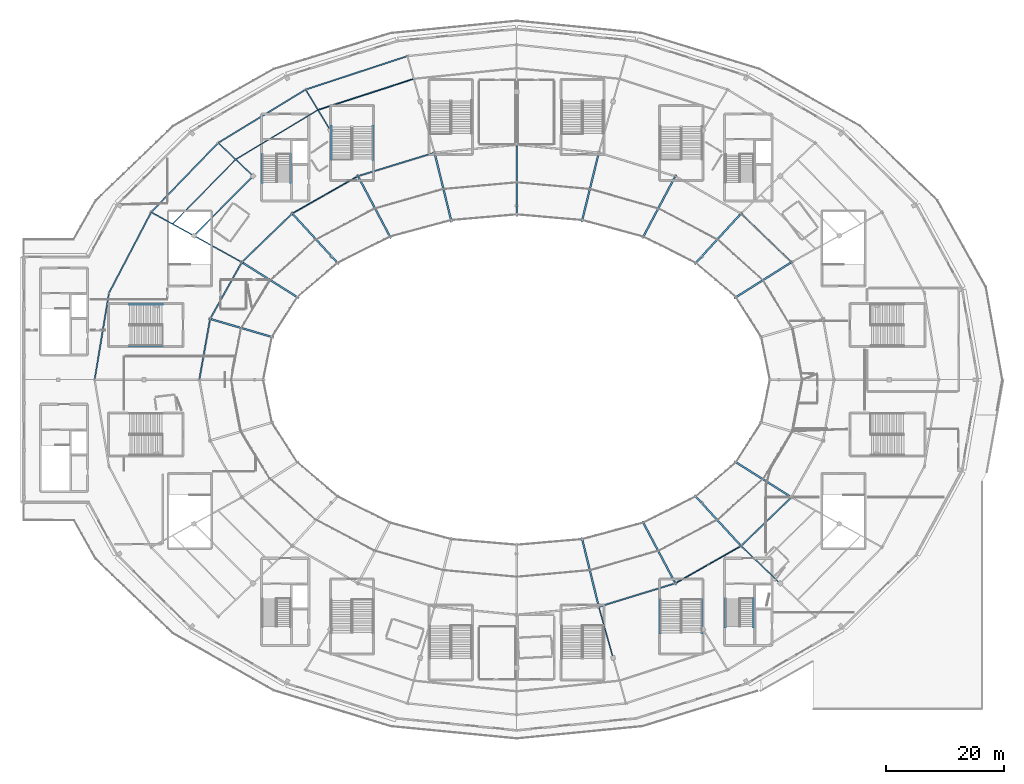
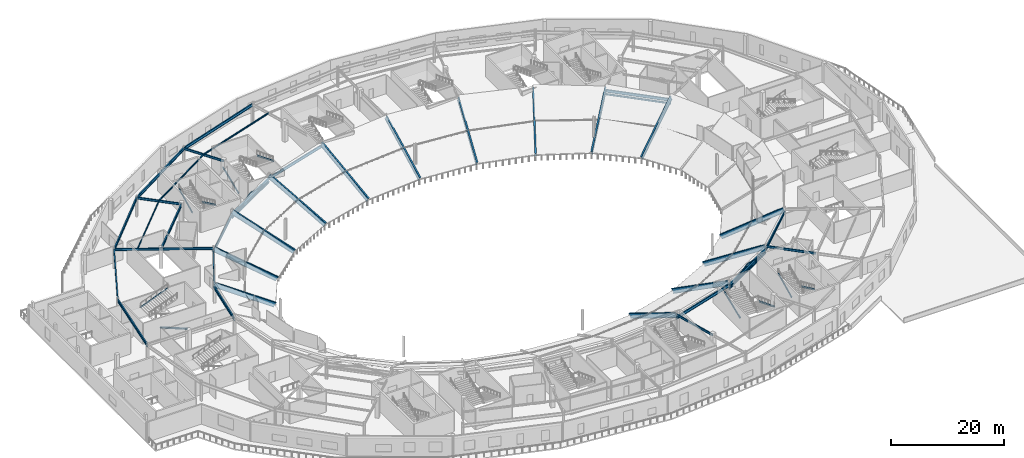
# One storey, part 14 of 63: 41 beams, 14 members.
"""IFC4 building model written with IfcOpenShell, lengths in metres."""

from ifc_helpers import new_model, si_unit, direction, frame, origin, origin_2d, place, context, subcontext, project, spatial, hollow_circle, i_section, extrude, material, material_profile, profile_set, type_object, element, save


model = new_model("IFC4")

# Units and contexts
model_context = context("Model", 3, precision=1e-05, world=origin(), true_north=direction((0.0, 1.0)))
body_context = subcontext(model_context, "Body", "Model", "MODEL_VIEW")
ifc_project = project(units=[si_unit("LENGTHUNIT", "METRE"), si_unit("AREAUNIT", "SQUARE_METRE"), si_unit("VOLUMEUNIT", "CUBIC_METRE"), si_unit("PLANEANGLEUNIT", "RADIAN"), si_unit("MASSUNIT", "GRAM", prefix="KILO")], contexts=[model_context])

# Site, building, storey
site_placement = place(None, origin())
site = spatial("IfcSite", under=ifc_project, at=site_placement, CompositionType="ELEMENT")
building_placement = place(site_placement, origin())
building = spatial("IfcBuilding", under=site, at=building_placement, Name="Kalgoora Escarpment Arena", CompositionType="ELEMENT")
storey_placement = place(building_placement, frame((0.0, 0.0, 14.39990234375)))
storey = spatial("IfcBuildingStorey", under=building, at=storey_placement, Name="L03", CompositionType="ELEMENT", Elevation=14.39990234375)

# Beams
ifc_material_1 = material(Name="Structural steel AS/NZS 3679 (300 MPa)", Category="steel")
ifc_material_profile_1 = material_profile(ifc_material_1, i_section(OverallWidth=0.1650390625, OverallDepth=0.303955078125, WebThickness=0.006103515625, FlangeThickness=0.01025390625, at=origin_2d()))
ifc_profile_set_1 = profile_set([ifc_material_profile_1], Name="Structural steel AS/NZS 3679 (300 MPa)")
beam_type_1 = type_object("IfcBeamType", Name="BM-BEAM-310UB40.4", PredefinedType="BEAM", material=ifc_profile_set_1)
beam_1_placement = place(storey_placement, frame((74.90380859375, 115.194091796875, 4.0380859375), z_axis=(-0.951103123122, -0.308873516489, 0.0), x_axis=(0.308873516489, -0.951103123122, 0.0)))
element("IfcBeam", 1, at=beam_1_placement, inside=storey, type_object=beam_type_1, Name="L03 Concourse secondary ring beam 310UB40.4", PredefinedType="BEAM", context=body_context, shape_type="SweptSolid", body=[
    extrude(i_section(OverallWidth=0.1650390625, OverallDepth=0.303955078125, WebThickness=0.006103515625, FlangeThickness=0.01025390625, at=origin_2d()), origin(), (0.0, 0.0, 1.0), 17.141845703125),
])
beam_2_placement = place(storey_placement, frame((58.60009765625, 109.8994140625, 4.0380859375), z_axis=(-0.856889805315, -0.515499623227, 0.0), x_axis=(0.515499623227, -0.856889805315, 0.0)))
element("IfcBeam", 2, at=beam_2_placement, inside=storey, type_object=beam_type_1, Name="L03 Concourse secondary ring beam 310UB40.4", PredefinedType="BEAM", context=body_context, shape_type="SweptSolid", body=[
    extrude(i_section(OverallWidth=0.1650390625, OverallDepth=0.303955078125, WebThickness=0.006103515625, FlangeThickness=0.01025390625, at=origin_2d()), origin(), (0.0, 0.0, 1.0), 16.338623046875),
])
beam_3_placement = place(storey_placement, frame((44.599609375, 101.476806640625, 4.0380859375), z_axis=(-0.699451819528, -0.714679754967, 0.0), x_axis=(0.714679754967, -0.699451819528, 0.0)))
element("IfcBeam", 3, at=beam_3_placement, inside=storey, type_object=beam_type_1, Name="L03 Concourse secondary ring beam 310UB40.4", PredefinedType="BEAM", context=body_context, shape_type="SweptSolid", body=[
    extrude(i_section(OverallWidth=0.1650390625, OverallDepth=0.303955078125, WebThickness=0.006103515625, FlangeThickness=0.01025390625, at=origin_2d()), origin(), (0.0, 0.0, 1.0), 15.359130859375),
])
ifc_material_2 = material(Name="Structural steel AS/NZS 3679 (300 MPa)", Category="steel")
ifc_material_profile_2 = material_profile(ifc_material_2, i_section(OverallWidth=0.1708984375, OverallDepth=0.35205078125, WebThickness=0.0068359375, FlangeThickness=0.009765625, at=origin_2d()))
ifc_profile_set_2 = profile_set([ifc_material_profile_2], Name="Structural steel AS/NZS 3679 (300 MPa)")
beam_type_2 = type_object("IfcBeamType", Name="BM-BEAM-360UB44.7", PredefinedType="BEAM", material=ifc_profile_set_2)
beam_4_placement = place(storey_placement, frame((139.165283203125, 84.0, 2.524169921875), z_axis=(-0.719462119733, 0.694531682696, 0.0), x_axis=(-0.694531682696, -0.719462119733, 0.0)))
element("IfcBeam", 4, at=beam_4_placement, inside=storey, type_object=beam_type_2, Name="L03 Portal brace collector beam 360UB44.7", PredefinedType="BEAM", context=body_context, shape_type="SweptSolid", body=[
    extrude(i_section(OverallWidth=0.1708984375, OverallDepth=0.35205078125, WebThickness=0.0068359375, FlangeThickness=0.009765625, at=origin_2d()), origin(), (0.0, 0.0, 1.0), 11.927734375),
])
beam_5_placement = place(storey_placement, frame((65.39990234375, 98.64111328125, 2.524169921875), z_axis=(-0.869369098708, -0.494163303182, 0.0), x_axis=(0.494163303182, -0.869369098708, 0.0)))
element("IfcBeam", 5, at=beam_5_placement, inside=storey, type_object=beam_type_2, Name="L03 Portal brace collector beam 360UB44.7", PredefinedType="BEAM", context=body_context, shape_type="SweptSolid", body=[
    extrude(i_section(OverallWidth=0.1708984375, OverallDepth=0.35205078125, WebThickness=0.0068359375, FlangeThickness=0.009765625, at=origin_2d()), origin(), (0.0, 0.0, 1.0), 12.864013671875),
])
beam_6_placement = place(storey_placement, frame((119.39990234375, 29.35888671875, 2.524169921875), z_axis=(0.869373733104, 0.494155149917, 0.0), x_axis=(-0.494155149917, 0.869373733104, 0.0)))
element("IfcBeam", 6, at=beam_6_placement, inside=storey, type_object=beam_type_2, Name="L03 Portal brace collector beam 360UB44.7", PredefinedType="BEAM", context=body_context, shape_type="SweptSolid", body=[
    extrude(i_section(OverallWidth=0.1708984375, OverallDepth=0.35205078125, WebThickness=0.0068359375, FlangeThickness=0.009765625, at=origin_2d()), origin(), (0.0, 0.0, 1.0), 12.8642578125),
])
ifc_material_3 = material(Name="Structural steel AS/NZS 3679 (300 MPa)", Category="steel")
ifc_material_profile_3 = material_profile(ifc_material_3, i_section(OverallWidth=0.19091796875, OverallDepth=0.4599609375, WebThickness=0.010009765625, FlangeThickness=0.01611328125, at=origin_2d()))
ifc_profile_set_3 = profile_set([ifc_material_profile_3], Name="Structural steel AS/NZS 3679 (300 MPa)")
beam_type_3 = type_object("IfcBeamType", Name="BM-GIRDER-460UB82.1", PredefinedType="USERDEFINED", material=ifc_profile_set_3)
beam_7_placement = place(storey_placement, frame((60.699951171875, 106.435302734375, 3.960205078125), z_axis=(-0.518407902139, 0.85513346736, 0.0), x_axis=(-0.85513346736, -0.518407902139, 0.0)))
element("IfcBeam", 7, at=beam_7_placement, inside=storey, type_object=beam_type_3, Name="L03 Radial concourse girder 460UB82.1", ObjectType="GIRDER", PredefinedType="USERDEFINED", context=body_context, shape_type="SweptSolid", body=[
    extrude(i_section(OverallWidth=0.19091796875, OverallDepth=0.4599609375, WebThickness=0.010009765625, FlangeThickness=0.01611328125, at=origin_2d()), origin(), (0.0, 0.0, 1.0), 8.1015625),
])
beam_8_placement = place(storey_placement, frame((47.5693359375, 98.648193359375, 3.960205078125), z_axis=(-0.724130144905, 0.689663347757, 0.0), x_axis=(-0.689663347757, -0.724130144905, 0.0)))
element("IfcBeam", 8, at=beam_8_placement, inside=storey, type_object=beam_type_3, Name="L03 Radial concourse girder 460UB82.1", ObjectType="GIRDER", PredefinedType="USERDEFINED", context=body_context, shape_type="SweptSolid", body=[
    extrude(i_section(OverallWidth=0.19091796875, OverallDepth=0.4599609375, WebThickness=0.010009765625, FlangeThickness=0.01611328125, at=origin_2d()), origin(), (0.0, 0.0, 1.0), 8.20263671875),
])
beam_9_placement = place(storey_placement, frame((45.634521484375, 84.0, 3.960205078125), z_axis=(-0.875185387072, 0.483787699571, 0.0), x_axis=(-0.483787699571, -0.875185387072, 0.0)))
element("IfcBeam", 9, at=beam_9_placement, inside=storey, type_object=beam_type_3, Name="L03 Radial concourse girder 460UB82.1", ObjectType="GIRDER", PredefinedType="USERDEFINED", context=body_context, shape_type="SweptSolid", body=[
    extrude(i_section(OverallWidth=0.19091796875, OverallDepth=0.4599609375, WebThickness=0.010009765625, FlangeThickness=0.01611328125, at=origin_2d()), origin(), (0.0, 0.0, 1.0), 9.301513671875),
])
beam_10_placement = place(storey_placement, frame((37.493896484375, 88.5, 3.960205078125), z_axis=(-0.876263093947, 0.481832948424, 0.0), x_axis=(-0.481832948424, -0.876263093947, 0.0)))
element("IfcBeam", 10, at=beam_10_placement, inside=storey, type_object=beam_type_3, Name="L03 Radial concourse girder 460UB82.1", ObjectType="GIRDER", PredefinedType="USERDEFINED", context=body_context, shape_type="SweptSolid", body=[
    extrude(i_section(OverallWidth=0.19091796875, OverallDepth=0.4599609375, WebThickness=0.010009765625, FlangeThickness=0.01611328125, at=origin_2d()), origin(), (0.0, 0.0, 1.0), 8.301513671875),
])
beam_11_placement = place(storey_placement, frame((106.376220703125, 25.363037109375, 3.9501953125), z_axis=(0.269498512386, -0.963000805722, 0.0), x_axis=(0.963000805722, 0.269498512386, 0.0)))
element("IfcBeam", 11, at=beam_11_placement, inside=storey, type_object=beam_type_3, Name="L03 Radial concourse girder 460UB82.1", ObjectType="GIRDER", PredefinedType="USERDEFINED", context=body_context, shape_type="SweptSolid", body=[
    extrude(i_section(OverallWidth=0.19091796875, OverallDepth=0.4599609375, WebThickness=0.010009765625, FlangeThickness=0.01611328125, at=origin_2d()), origin(), (0.0, 0.0, 1.0), 9.02734375),
])
beam_12_placement = place(storey_placement, frame((130.583740234375, 35.7158203125, 3.9501953125), z_axis=(0.722313931554, -0.691565314546, 0.0), x_axis=(0.691565314546, 0.722313931554, 0.0)))
element("IfcBeam", 12, at=beam_12_placement, inside=storey, type_object=beam_type_3, Name="L03 Radial concourse girder 460UB82.1", ObjectType="GIRDER", PredefinedType="USERDEFINED", context=body_context, shape_type="SweptSolid", body=[
    extrude(i_section(OverallWidth=0.19091796875, OverallDepth=0.4599609375, WebThickness=0.010009765625, FlangeThickness=0.01611328125, at=origin_2d()), origin(), (0.0, 0.0, 1.0), 9.202392578125),
])
ifc_material_4 = material(Name="Structural steel AS/NZS 3679 (300 MPa)", Category="steel")
ifc_material_profile_4 = material_profile(ifc_material_4, i_section(OverallWidth=0.22900390625, OverallDepth=0.612060546875, WebThickness=0.011962890625, FlangeThickness=0.01953125, at=origin_2d()))
ifc_profile_set_4 = profile_set([ifc_material_profile_4], Name="Structural steel AS/NZS 3679 (300 MPa)")
beam_type_4 = type_object("IfcBeamType", Name="BM-GIRDER-610UB125", PredefinedType="USERDEFINED", material=ifc_profile_set_4)
beam_13_placement = place(storey_placement, frame((47.5693359375, 98.648193359375, 3.884033203125), z_axis=(-0.704558426859, -0.709645984377, 0.0), x_axis=(0.709645984377, -0.704558426859, 0.0)))
element("IfcBeam", 13, at=beam_13_placement, inside=storey, type_object=beam_type_4, Name="L03 Circumferential concourse girder RCONC1 610UB125", ObjectType="GIRDER", PredefinedType="USERDEFINED", context=body_context, shape_type="SweptSolid", body=[
    extrude(i_section(OverallWidth=0.22900390625, OverallDepth=0.612060546875, WebThickness=0.011962890625, FlangeThickness=0.01953125, at=origin_2d()), origin(), (0.0, 0.0, 1.0), 14.30029296875),
])
beam_14_placement = place(storey_placement, frame((139.165283203125, 84.0, 3.274169921875), z_axis=(-0.719462119733, 0.694531682696, 0.0), x_axis=(-0.694531682696, -0.719462119733, 0.0)))
element("IfcBeam", 14, at=beam_14_placement, inside=storey, type_object=beam_type_4, Name="L03 Upper bowl raker collector ring girder 610UB125", ObjectType="GIRDER", PredefinedType="USERDEFINED", context=body_context, shape_type="SweptSolid", body=[
    extrude(i_section(OverallWidth=0.22900390625, OverallDepth=0.612060546875, WebThickness=0.011962890625, FlangeThickness=0.01953125, at=origin_2d()), origin(), (0.0, 0.0, 1.0), 11.927734375),
])
beam_15_placement = place(storey_placement, frame((78.423828125, 102.636962890625, 3.274169921875), z_axis=(-0.956016223512, -0.293313791666, 0.0), x_axis=(0.293313791666, -0.956016223512, 0.0)))
element("IfcBeam", 15, at=beam_15_placement, inside=storey, type_object=beam_type_4, Name="L03 Upper bowl raker collector ring girder 610UB125", ObjectType="GIRDER", PredefinedType="USERDEFINED", context=body_context, shape_type="SweptSolid", body=[
    extrude(i_section(OverallWidth=0.22900390625, OverallDepth=0.612060546875, WebThickness=0.011962890625, FlangeThickness=0.01953125, at=origin_2d()), origin(), (0.0, 0.0, 1.0), 13.623046875),
])
beam_16_placement = place(storey_placement, frame((65.39990234375, 98.64111328125, 3.274169921875), z_axis=(-0.869369098708, -0.494163303182, 0.0), x_axis=(0.494163303182, -0.869369098708, 0.0)))
element("IfcBeam", 16, at=beam_16_placement, inside=storey, type_object=beam_type_4, Name="L03 Upper bowl raker collector ring girder 610UB125", ObjectType="GIRDER", PredefinedType="USERDEFINED", context=body_context, shape_type="SweptSolid", body=[
    extrude(i_section(OverallWidth=0.22900390625, OverallDepth=0.612060546875, WebThickness=0.011962890625, FlangeThickness=0.01953125, at=origin_2d()), origin(), (0.0, 0.0, 1.0), 12.864013671875),
])
beam_17_placement = place(storey_placement, frame((54.21630859375, 92.2841796875, 3.274169921875), z_axis=(-0.719471992915, -0.694521454968, 0.0), x_axis=(0.694521454968, -0.719471992915, 0.0)))
element("IfcBeam", 17, at=beam_17_placement, inside=storey, type_object=beam_type_4, Name="L03 Upper bowl raker collector ring girder 610UB125", ObjectType="GIRDER", PredefinedType="USERDEFINED", context=body_context, shape_type="SweptSolid", body=[
    extrude(i_section(OverallWidth=0.22900390625, OverallDepth=0.612060546875, WebThickness=0.011962890625, FlangeThickness=0.01953125, at=origin_2d()), origin(), (0.0, 0.0, 1.0), 11.927978515625),
])
beam_18_placement = place(storey_placement, frame((45.634521484375, 84.0, 3.274169921875), z_axis=(-0.488058469962, -0.872810935941, 0.0), x_axis=(0.872810935941, -0.488058469962, 0.0)))
element("IfcBeam", 18, at=beam_18_placement, inside=storey, type_object=beam_type_4, Name="L03 Upper bowl raker collector ring girder 610UB125", ObjectType="GIRDER", PredefinedType="USERDEFINED", context=body_context, shape_type="SweptSolid", body=[
    extrude(i_section(OverallWidth=0.22900390625, OverallDepth=0.612060546875, WebThickness=0.011962890625, FlangeThickness=0.01953125, at=origin_2d()), origin(), (0.0, 0.0, 1.0), 11.052978515625),
])
beam_19_placement = place(storey_placement, frame((40.239990234375, 74.352783203125, 3.274169921875), z_axis=(-0.174995823084, -0.984569175784, 0.0), x_axis=(0.984569175784, -0.174995823084, 0.0)))
element("IfcBeam", 19, at=beam_19_placement, inside=storey, type_object=beam_type_4, Name="L03 Upper bowl raker collector ring girder 610UB125", ObjectType="GIRDER", PredefinedType="USERDEFINED", context=body_context, shape_type="SweptSolid", body=[
    extrude(i_section(OverallWidth=0.22900390625, OverallDepth=0.612060546875, WebThickness=0.011962890625, FlangeThickness=0.01953125, at=origin_2d()), origin(), (0.0, 0.0, 1.0), 10.51513671875),
])
beam_20_placement = place(storey_placement, frame((106.376220703125, 25.363037109375, 3.274169921875), z_axis=(0.956014681671, 0.293318817038, 0.0), x_axis=(-0.293318817038, 0.956014681671, 0.0)))
element("IfcBeam", 20, at=beam_20_placement, inside=storey, type_object=beam_type_4, Name="L03 Upper bowl raker collector ring girder 610UB125", ObjectType="GIRDER", PredefinedType="USERDEFINED", context=body_context, shape_type="SweptSolid", body=[
    extrude(i_section(OverallWidth=0.22900390625, OverallDepth=0.612060546875, WebThickness=0.011962890625, FlangeThickness=0.01953125, at=origin_2d()), origin(), (0.0, 0.0, 1.0), 13.622802734375),
])
beam_21_placement = place(storey_placement, frame((119.39990234375, 29.35888671875, 3.274169921875), z_axis=(0.869373733104, 0.494155149917, 0.0), x_axis=(-0.494155149917, 0.869373733104, 0.0)))
element("IfcBeam", 21, at=beam_21_placement, inside=storey, type_object=beam_type_4, Name="L03 Upper bowl raker collector ring girder 610UB125", ObjectType="GIRDER", PredefinedType="USERDEFINED", context=body_context, shape_type="SweptSolid", body=[
    extrude(i_section(OverallWidth=0.22900390625, OverallDepth=0.612060546875, WebThickness=0.011962890625, FlangeThickness=0.01953125, at=origin_2d()), origin(), (0.0, 0.0, 1.0), 12.8642578125),
])
beam_22_placement = place(storey_placement, frame((130.583740234375, 35.7158203125, 3.274169921875), z_axis=(0.719462119733, 0.694531682696, 0.0), x_axis=(-0.694531682696, 0.719462119733, 0.0)))
element("IfcBeam", 22, at=beam_22_placement, inside=storey, type_object=beam_type_4, Name="L03 Upper bowl raker collector ring girder 610UB125", ObjectType="GIRDER", PredefinedType="USERDEFINED", context=body_context, shape_type="SweptSolid", body=[
    extrude(i_section(OverallWidth=0.22900390625, OverallDepth=0.612060546875, WebThickness=0.011962890625, FlangeThickness=0.01953125, at=origin_2d()), origin(), (0.0, 0.0, 1.0), 11.927734375),
])
ifc_material_5 = material(Name="Structural steel Grade 350 (350 MPa)", Category="steel")
ifc_material_profile_5 = material_profile(ifc_material_5, i_section(OverallWidth=0.300048828125, OverallDepth=1.010009765625, WebThickness=0.01611328125, FlangeThickness=0.030029296875, at=origin_2d()))
ifc_profile_set_5 = profile_set([ifc_material_profile_5], Name="Structural steel Grade 350 (350 MPa)")
beam_type_5 = type_object("IfcBeamType", Name="BM-RAKER-UPP", PredefinedType="USERDEFINED", material=ifc_profile_set_5)
beam_23_placement = place(storey_placement, frame((129.63916015625, 78.0, -2.2998046875), z_axis=(0.742579695756, 0.467711591863, 0.479396769166), x_axis=(-0.532944974413, 0.846149900578, 0.0)))
element("IfcBeam", 23, at=beam_23_placement, inside=storey, type_object=beam_type_5, Name="Upper bowl cantilevered RAKER girder R03", ObjectType="GIRDER", PredefinedType="USERDEFINED", context=body_context, shape_type="SweptSolid", body=[
    extrude(i_section(OverallWidth=0.300048828125, OverallDepth=1.010009765625, WebThickness=0.01611328125, FlangeThickness=0.030029296875, at=origin_2d()), origin(), (0.0, 0.0, 1.0), 12.828369140625),
])
beam_24_placement = place(storey_placement, frame((122.8056640625, 83.799072265625, -2.2998046875), z_axis=(0.59599611322, 0.650172476066, 0.471237078754), x_axis=(-0.737151498957, 0.675727509863, 0.0)))
element("IfcBeam", 24, at=beam_24_placement, inside=storey, type_object=beam_type_5, Name="Upper bowl cantilevered RAKER girder R04", ObjectType="GIRDER", PredefinedType="USERDEFINED", context=body_context, shape_type="SweptSolid", body=[
    extrude(i_section(OverallWidth=0.300048828125, OverallDepth=1.010009765625, WebThickness=0.01611328125, FlangeThickness=0.030029296875, at=origin_2d()), origin(), (0.0, 0.0, 1.0), 13.050537109375),
])
beam_25_placement = place(storey_placement, frame((113.89990234375, 88.248779296875, -2.2998046875), z_axis=(0.41449343717, 0.7831916788, 0.463471665586), x_axis=(-0.883852051303, 0.467766556529, 0.0)))
element("IfcBeam", 25, at=beam_25_placement, inside=storey, type_object=beam_type_5, Name="Upper bowl cantilevered RAKER girder R05", ObjectType="GIRDER", PredefinedType="USERDEFINED", context=body_context, shape_type="SweptSolid", body=[
    extrude(i_section(OverallWidth=0.300048828125, OverallDepth=1.010009765625, WebThickness=0.01611328125, FlangeThickness=0.030029296875, at=origin_2d()), origin(), (0.0, 0.0, 1.0), 13.269287109375),
])
beam_26_placement = place(storey_placement, frame((103.529296875, 91.0458984375, -2.2998046875), z_axis=(0.21203288269, 0.863278035459, 0.458031756708), x_axis=(-0.971136505393, 0.238524396853, 0.0)))
element("IfcBeam", 26, at=beam_26_placement, inside=storey, type_object=beam_type_5, Name="Upper bowl cantilevered RAKER girder R06", ObjectType="GIRDER", PredefinedType="USERDEFINED", context=body_context, shape_type="SweptSolid", body=[
    extrude(i_section(OverallWidth=0.300048828125, OverallDepth=1.010009765625, WebThickness=0.01611328125, FlangeThickness=0.030029296875, at=origin_2d()), origin(), (0.0, 0.0, 1.0), 13.4267578125),
])
beam_27_placement = place(storey_placement, frame((92.39990234375, 92.0, -2.2998046875), z_axis=(0.0, 0.889936190126, 0.45608505512), x_axis=(-1.0, 0.0, 0.0)))
element("IfcBeam", 27, at=beam_27_placement, inside=storey, type_object=beam_type_5, Name="Upper bowl cantilevered RAKER girder R07", ObjectType="GIRDER", PredefinedType="USERDEFINED", context=body_context, shape_type="SweptSolid", body=[
    extrude(i_section(OverallWidth=0.300048828125, OverallDepth=1.010009765625, WebThickness=0.01611328125, FlangeThickness=0.030029296875, at=origin_2d()), origin(), (0.0, 0.0, 1.0), 13.484130859375),
])
beam_28_placement = place(storey_placement, frame((81.270751953125, 91.0458984375, -2.2998046875), z_axis=(-0.21203288269, 0.863278035459, 0.458031756708), x_axis=(-0.971136505393, -0.238524396853, 0.0)))
element("IfcBeam", 28, at=beam_28_placement, inside=storey, type_object=beam_type_5, Name="Upper bowl cantilevered RAKER girder R08", ObjectType="GIRDER", PredefinedType="USERDEFINED", context=body_context, shape_type="SweptSolid", body=[
    extrude(i_section(OverallWidth=0.300048828125, OverallDepth=1.010009765625, WebThickness=0.01611328125, FlangeThickness=0.030029296875, at=origin_2d()), origin(), (0.0, 0.0, 1.0), 13.4267578125),
])
beam_29_placement = place(storey_placement, frame((70.89990234375, 88.248779296875, -2.2998046875), z_axis=(-0.41449343717, 0.7831916788, 0.463471665586), x_axis=(-0.883852051303, -0.467766556529, 0.0)))
element("IfcBeam", 29, at=beam_29_placement, inside=storey, type_object=beam_type_5, Name="Upper bowl cantilevered RAKER girder R09", ObjectType="GIRDER", PredefinedType="USERDEFINED", context=body_context, shape_type="SweptSolid", body=[
    extrude(i_section(OverallWidth=0.300048828125, OverallDepth=1.010009765625, WebThickness=0.01611328125, FlangeThickness=0.030029296875, at=origin_2d()), origin(), (0.0, 0.0, 1.0), 13.269287109375),
])
beam_30_placement = place(storey_placement, frame((61.994384765625, 83.799072265625, -2.2998046875), z_axis=(-0.59599611322, 0.650172476066, 0.471237078754), x_axis=(-0.737151498957, -0.675727509863, 0.0)))
element("IfcBeam", 30, at=beam_30_placement, inside=storey, type_object=beam_type_5, Name="Upper bowl cantilevered RAKER girder R10", ObjectType="GIRDER", PredefinedType="USERDEFINED", context=body_context, shape_type="SweptSolid", body=[
    extrude(i_section(OverallWidth=0.300048828125, OverallDepth=1.010009765625, WebThickness=0.01611328125, FlangeThickness=0.030029296875, at=origin_2d()), origin(), (0.0, 0.0, 1.0), 13.050537109375),
])
beam_31_placement = place(storey_placement, frame((55.160888671875, 78.0, -2.2998046875), z_axis=(-0.742588232518, 0.467704982121, 0.479389994289), x_axis=(-0.532935195412, -0.846156059773, 0.0)))
element("IfcBeam", 31, at=beam_31_placement, inside=storey, type_object=beam_type_5, Name="Upper bowl cantilevered RAKER girder R11", ObjectType="GIRDER", PredefinedType="USERDEFINED", context=body_context, shape_type="SweptSolid", body=[
    extrude(i_section(OverallWidth=0.300048828125, OverallDepth=1.010009765625, WebThickness=0.01611328125, FlangeThickness=0.030029296875, at=origin_2d()), origin(), (0.0, 0.0, 1.0), 12.82861328125),
])
beam_32_placement = place(storey_placement, frame((50.865234375, 71.246826171875, -2.2998046875), z_axis=(-0.839045220709, 0.24526856685, 0.485640245161), x_axis=(-0.280576682098, -0.959831613078, 0.0)))
element("IfcBeam", 32, at=beam_32_placement, inside=storey, type_object=beam_type_5, Name="Upper bowl cantilevered RAKER girder R12", ObjectType="GIRDER", PredefinedType="USERDEFINED", context=body_context, shape_type="SweptSolid", body=[
    extrude(i_section(OverallWidth=0.300048828125, OverallDepth=1.010009765625, WebThickness=0.01611328125, FlangeThickness=0.030029296875, at=origin_2d()), origin(), (0.0, 0.0, 1.0), 12.66357421875),
])
beam_33_placement = place(storey_placement, frame((103.529296875, 36.9541015625, -2.2998046875), z_axis=(0.21203288269, -0.863278035459, 0.458031756708), x_axis=(0.971136505393, 0.238524396853, 0.0)))
element("IfcBeam", 33, at=beam_33_placement, inside=storey, type_object=beam_type_5, Name="Upper bowl cantilevered RAKER girder R20", ObjectType="GIRDER", PredefinedType="USERDEFINED", context=body_context, shape_type="SweptSolid", body=[
    extrude(i_section(OverallWidth=0.300048828125, OverallDepth=1.010009765625, WebThickness=0.01611328125, FlangeThickness=0.030029296875, at=origin_2d()), origin(), (0.0, 0.0, 1.0), 13.4267578125),
])
beam_34_placement = place(storey_placement, frame((113.89990234375, 39.751220703125, -2.2998046875), z_axis=(0.41449343717, -0.7831916788, 0.463471665586), x_axis=(0.883852051303, 0.467766556529, 0.0)))
element("IfcBeam", 34, at=beam_34_placement, inside=storey, type_object=beam_type_5, Name="Upper bowl cantilevered RAKER girder R21", ObjectType="GIRDER", PredefinedType="USERDEFINED", context=body_context, shape_type="SweptSolid", body=[
    extrude(i_section(OverallWidth=0.300048828125, OverallDepth=1.010009765625, WebThickness=0.01611328125, FlangeThickness=0.030029296875, at=origin_2d()), origin(), (0.0, 0.0, 1.0), 13.269287109375),
])
beam_35_placement = place(storey_placement, frame((122.8056640625, 44.200927734375, -2.2998046875), z_axis=(0.59599611322, -0.650172476066, 0.471237078754), x_axis=(0.737151498957, 0.675727509863, 0.0)))
element("IfcBeam", 35, at=beam_35_placement, inside=storey, type_object=beam_type_5, Name="Upper bowl cantilevered RAKER girder R22", ObjectType="GIRDER", PredefinedType="USERDEFINED", context=body_context, shape_type="SweptSolid", body=[
    extrude(i_section(OverallWidth=0.300048828125, OverallDepth=1.010009765625, WebThickness=0.01611328125, FlangeThickness=0.030029296875, at=origin_2d()), origin(), (0.0, 0.0, 1.0), 13.050537109375),
])
beam_36_placement = place(storey_placement, frame((129.63916015625, 50.0, -2.2998046875), z_axis=(0.742579695756, -0.467711591863, 0.479396769166), x_axis=(0.532944974413, 0.846149900578, 0.0)))
element("IfcBeam", 36, at=beam_36_placement, inside=storey, type_object=beam_type_5, Name="Upper bowl cantilevered RAKER girder R23", ObjectType="GIRDER", PredefinedType="USERDEFINED", context=body_context, shape_type="SweptSolid", body=[
    extrude(i_section(OverallWidth=0.300048828125, OverallDepth=1.010009765625, WebThickness=0.01611328125, FlangeThickness=0.030029296875, at=origin_2d()), origin(), (0.0, 0.0, 1.0), 12.828369140625),
])
ifc_material_6 = material(Name="Structural steel AS/NZS 3679 (300 MPa)", Category="steel")
ifc_material_profile_6 = material_profile(ifc_material_6, i_section(OverallWidth=0.22900390625, OverallDepth=0.612060546875, WebThickness=0.011962890625, FlangeThickness=0.01953125, at=origin_2d()))
ifc_profile_set_6 = profile_set([ifc_material_profile_6], Name="Structural steel AS/NZS 3679 (300 MPa)")
beam_type_6 = type_object("IfcBeamType", Name="BM-SPANDREL-610UB125", PredefinedType="SPANDREL", material=ifc_profile_set_6)
beam_37_placement = place(storey_placement, frame((73.81689453125, 119.057861328125, 3.884033203125), z_axis=(-0.949954555117, -0.312388129115, 0.0), x_axis=(0.312388129115, -0.949954555117, 0.0)))
element("IfcBeam", 37, at=beam_37_placement, inside=storey, type_object=beam_type_6, Name="L03 Circumferential concourse girder RCONC2 610UB125", PredefinedType="SPANDREL", context=body_context, shape_type="SweptSolid", body=[
    extrude(i_section(OverallWidth=0.22900390625, OverallDepth=0.612060546875, WebThickness=0.011962890625, FlangeThickness=0.01953125, at=origin_2d()), origin(), (0.0, 0.0, 1.0), 18.229248046875),
])
beam_38_placement = place(storey_placement, frame((56.5, 113.36328125, 3.884033203125), z_axis=(-0.854030640858, -0.520222706613, 0.0), x_axis=(0.520222706613, -0.854030640858, 0.0)))
element("IfcBeam", 38, at=beam_38_placement, inside=storey, type_object=beam_type_6, Name="L03 Circumferential concourse girder RCONC2 610UB125", PredefinedType="SPANDREL", context=body_context, shape_type="SweptSolid", body=[
    extrude(i_section(OverallWidth=0.22900390625, OverallDepth=0.612060546875, WebThickness=0.011962890625, FlangeThickness=0.01953125, at=origin_2d()), origin(), (0.0, 0.0, 1.0), 17.411865234375),
])
beam_39_placement = place(storey_placement, frame((41.629638671875, 104.30517578125, 3.884033203125), z_axis=(-0.694974435465, -0.719034445663, 0.0), x_axis=(0.719034445663, -0.694974435465, 0.0)))
element("IfcBeam", 39, at=beam_39_placement, inside=storey, type_object=beam_type_6, Name="L03 Circumferential concourse girder RCONC2 610UB125", PredefinedType="SPANDREL", context=body_context, shape_type="SweptSolid", body=[
    extrude(i_section(OverallWidth=0.22900390625, OverallDepth=0.612060546875, WebThickness=0.011962890625, FlangeThickness=0.01953125, at=origin_2d()), origin(), (0.0, 0.0, 1.0), 16.418212890625),
])
beam_40_placement = place(storey_placement, frame((30.219482421875, 92.5, 3.884033203125), z_axis=(-0.462595600895, -0.886569405085, 0.0), x_axis=(0.886569405085, -0.462595600895, 0.0)))
element("IfcBeam", 40, at=beam_40_placement, inside=storey, type_object=beam_type_6, Name="L03 Circumferential concourse girder RCONC2 610UB125", PredefinedType="SPANDREL", context=body_context, shape_type="SweptSolid", body=[
    extrude(i_section(OverallWidth=0.22900390625, OverallDepth=0.612060546875, WebThickness=0.011962890625, FlangeThickness=0.01953125, at=origin_2d()), origin(), (0.0, 0.0, 1.0), 15.506103515625),
])
beam_41_placement = place(storey_placement, frame((23.04638671875, 78.752685546875, 3.884033203125), z_axis=(-0.163586163215, -0.98652905036, 0.0), x_axis=(0.98652905036, -0.163586163215, 0.0)))
element("IfcBeam", 41, at=beam_41_placement, inside=storey, type_object=beam_type_6, Name="L03 Circumferential concourse girder RCONC2 610UB125", PredefinedType="SPANDREL", context=body_context, shape_type="SweptSolid", body=[
    extrude(i_section(OverallWidth=0.22900390625, OverallDepth=0.612060546875, WebThickness=0.011962890625, FlangeThickness=0.01953125, at=origin_2d()), origin(), (0.0, 0.0, 1.0), 14.9541015625),
])

# Members
ifc_material_7 = material(Name="Structural steel C350 (350 MPa)", Category="steel")
ifc_material_profile_7 = material_profile(ifc_material_7, hollow_circle(Radius=0.109619140625, WallThickness=0.00830078125, at=origin_2d()))
ifc_profile_set_7 = profile_set([ifc_material_profile_7], Name="Structural steel C350 (350 MPa)")
member_type_1 = type_object("IfcMemberType", Name="MEM-BRACE-CHS219", PredefinedType="BRACE", material=ifc_profile_set_7)
for number, where, z_axis, x_axis, name in (
    (42, (65.39990234375, 98.64111328125, 2.52001953125), (-0.845769222656, -0.480748756102, 0.231419652392), (0.494163303182, -0.869369098708, 0.0), "L03 concentric lateral brace R09-1"),
    (43, (54.21630859375, 92.2841796875, 2.52001953125), (0.845769222656, 0.480748756102, 0.231419652392), (-0.494163303182, 0.869369098708, 0.0), "L03 concentric lateral brace R09-2"),
):
    element("IfcMember", number, at=place(storey_placement, frame(where, z_axis=z_axis, x_axis=x_axis)), inside=storey, type_object=member_type_1, Name=name, PredefinedType="BRACE", context=body_context, shape_type="SweptSolid", body=[
        extrude(hollow_circle(Radius=0.109619140625, WallThickness=0.00830078125, at=origin_2d()), origin(), (0.0, 0.0, 1.0), 6.611572265625),
    ])
member_1_placement = place(storey_placement, frame((119.39990234375, 29.35888671875, 2.52001953125), z_axis=(0.845779734252, 0.480733741988, 0.231412424997), x_axis=(-0.494146996878, 0.86937836727, 0.0)))
element("IfcMember", 44, at=member_1_placement, inside=storey, type_object=member_type_1, Name="L03 concentric lateral brace R21-1", PredefinedType="BRACE", context=body_context, shape_type="SweptSolid", body=[
    extrude(hollow_circle(Radius=0.109619140625, WallThickness=0.00830078125, at=origin_2d()), origin(), (0.0, 0.0, 1.0), 6.61181640625),
])
member_2_placement = place(storey_placement, frame((130.583740234375, 35.7158203125, 2.52001953125), z_axis=(-0.845769222656, -0.480748756102, 0.231419652392), x_axis=(0.494163303182, -0.869369098708, 0.0)))
element("IfcMember", 45, at=member_2_placement, inside=storey, type_object=member_type_1, Name="L03 concentric lateral brace R21-2", PredefinedType="BRACE", context=body_context, shape_type="SweptSolid", body=[
    extrude(hollow_circle(Radius=0.109619140625, WallThickness=0.00830078125, at=origin_2d()), origin(), (0.0, 0.0, 1.0), 6.611572265625),
])
ifc_material_8 = material(Name="Structural steel AS/NZS 3679 (300 MPa)", Category="steel")
ifc_material_profile_8 = material_profile(ifc_material_8, i_section(OverallWidth=0.090087890625, OverallDepth=0.300048828125, WebThickness=0.008056640625, FlangeThickness=0.01611328125, at=origin_2d()))
ifc_profile_set_8 = profile_set([ifc_material_profile_8], Name="Structural steel AS/NZS 3679 (300 MPa)")
member_type_2 = type_object("IfcMemberType", Name="MEM-STRINGER-PFC", PredefinedType="STRINGER", material=ifc_profile_set_8)
for number, where, z_axis, x_axis, name in (
    (46, (53.929931640625, 102.31005859375, -0.039794921875), (0.0, -0.902682652253, 0.430306901317), (1.0, 0.0, 0.0), "ST03 L03 steel stair stringer 1"),
    (47, (49.169921875, 97.590087890625, 2.210205078125), (0.0, 0.902682652253, 0.430306901317), (-1.0, 0.0, 0.0), "ST03 L03 steel stair stringer 2"),
    (48, (132.72998046875, 26.7099609375, -0.039794921875), (0.0, -0.902682652253, 0.430306901317), (1.0, 0.0, 0.0), "ST06 L03 steel stair stringer 1"),
    (49, (127.969970703125, 21.989990234375, 2.210205078125), (0.0, 0.902682652253, 0.430306901317), (-1.0, 0.0, 0.0), "ST06 L03 steel stair stringer 2"),
):
    element("IfcMember", number, at=place(storey_placement, frame(where, z_axis=z_axis, x_axis=x_axis)), inside=storey, type_object=member_type_2, Name=name, PredefinedType="STRINGER", context=body_context, shape_type="SweptSolid", body=[
        extrude(i_section(OverallWidth=0.090087890625, OverallDepth=0.300048828125, WebThickness=0.008056640625, FlangeThickness=0.01611328125, at=origin_2d()), origin(), (0.0, 0.0, 1.0), 5.228759765625),
    ])
for number, where, z_axis, x_axis, name in (
    (50, (60.8701171875, 101.489990234375, -0.039794921875), (0.0, 0.926975796404, 0.375121144273), (-1.0, 0.0, 0.0), "ST09 L03 steel stair stringer 1"),
    (51, (67.929931640625, 107.050048828125, 2.210205078125), (0.0, -0.926975796404, 0.375121144273), (1.0, 0.0, 0.0), "ST09 L03 steel stair stringer 2"),
    (52, (123.929931640625, 26.510009765625, -0.039794921875), (0.0, -0.926975796404, 0.375121144273), (1.0, 0.0, 0.0), "ST16 L03 steel stair stringer 1"),
    (53, (116.8701171875, 20.949951171875, 2.210205078125), (0.0, 0.926975796404, 0.375121144273), (-1.0, 0.0, 0.0), "ST16 L03 steel stair stringer 2"),
    (54, (32.110107421875, 69.77001953125, -0.039794921875), (-0.926975796404, 0.0, 0.375121144273), (0.0, -1.0, 0.0), "ST17 L03 steel stair stringer 1"),
    (55, (26.550048828125, 76.830078125, 2.210205078125), (0.926975796404, 0.0, 0.375121144273), (0.0, 1.0, 0.0), "ST17 L03 steel stair stringer 2"),
):
    element("IfcMember", number, at=place(storey_placement, frame(where, z_axis=z_axis, x_axis=x_axis)), inside=storey, type_object=member_type_2, Name=name, PredefinedType="STRINGER", context=body_context, shape_type="SweptSolid", body=[
        extrude(i_section(OverallWidth=0.090087890625, OverallDepth=0.300048828125, WebThickness=0.008056640625, FlangeThickness=0.01611328125, at=origin_2d()), origin(), (0.0, 0.0, 1.0), 5.998046875),
    ])

save(model, "model.ifc")
